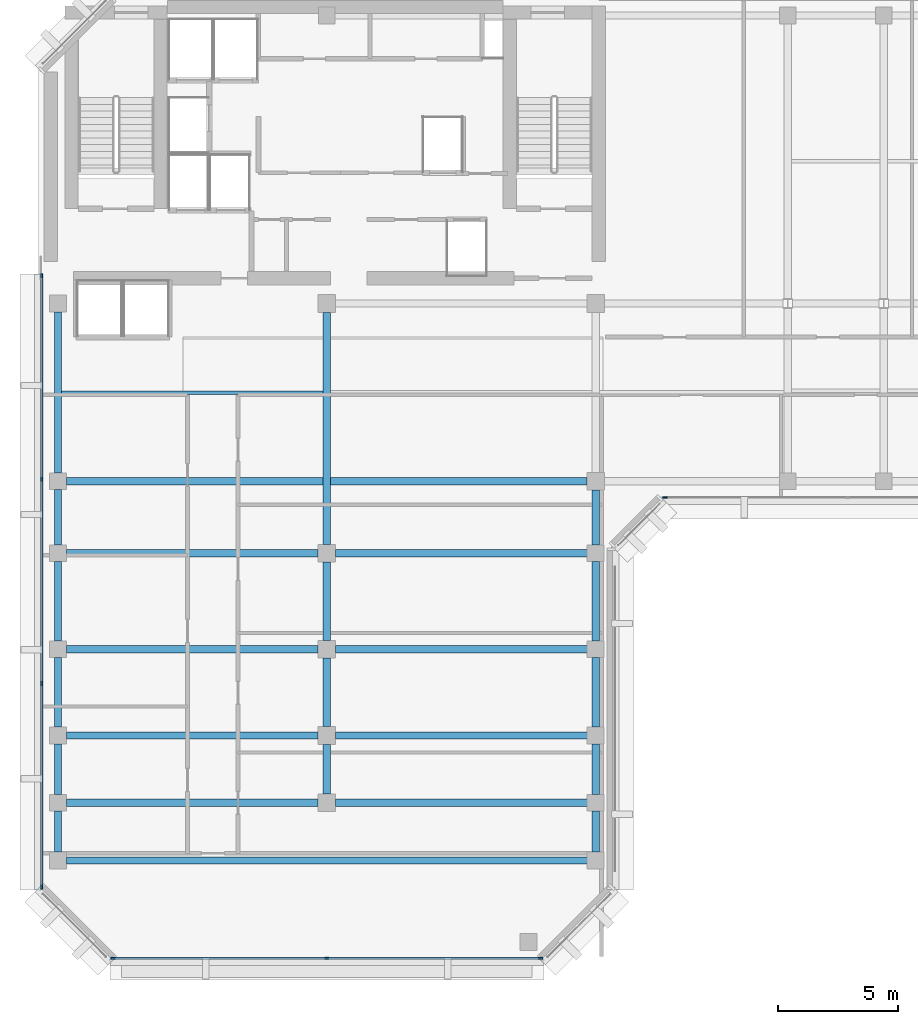
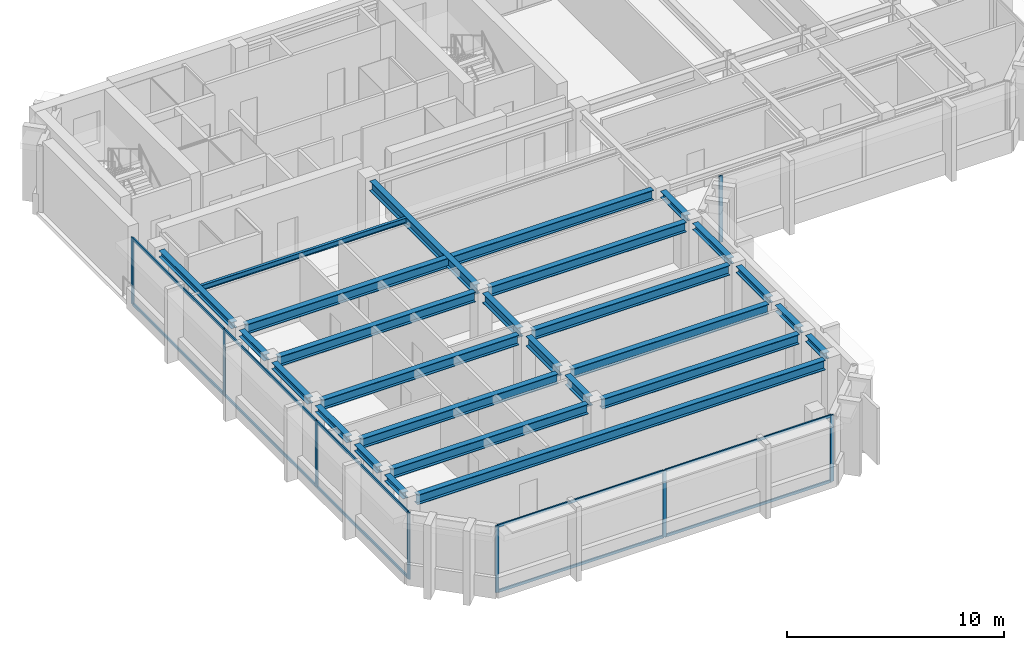
# One storey, part 2 of 11: 26 beams, 18 members, 3 elements without a shape of their own.
"""IFC4 building model written with IfcOpenShell, lengths in metres."""

from ifc_helpers import new_model, si_unit, direction, frame, origin, origin_2d, place, context, subcontext, project, spatial, rectangle, i_section, extrude, material, layer, layer_set, material_profile, profile_set, type_object, element, aggregate, save


model = new_model("IFC4")

# Units and contexts
model_context = context("Model", 3, precision=1e-05, world=origin(), true_north=direction((0.0, 1.0)))
body_context = subcontext(model_context, "Body", "Model", "MODEL_VIEW")
ifc_project = project(units=[si_unit("LENGTHUNIT", "METRE"), si_unit("AREAUNIT", "SQUARE_METRE"), si_unit("VOLUMEUNIT", "CUBIC_METRE"), si_unit("PLANEANGLEUNIT", "RADIAN"), si_unit("MASSUNIT", "GRAM", prefix="KILO")], contexts=[model_context])

# Site, building, storey
site_placement = place(None, origin())
site = spatial("IfcSite", under=ifc_project, at=site_placement, CompositionType="ELEMENT")
building_placement = place(site_placement, origin())
building = spatial("IfcBuilding", under=site, at=building_placement, Name="Kefirva Bronze Tower", CompositionType="ELEMENT")
storey_placement = place(building_placement, frame((0.0, 0.0, 292.050048828125)))
storey = spatial("IfcBuildingStorey", under=building, at=storey_placement, Name="L71", CompositionType="ELEMENT", Elevation=292.050048828125)

# Curtain wall, members
ifc_material_1 = material(Name="Bronze anodised aluminium", Category="aluminium")
ifc_layer = layer(ifc_material_1, 0.179931640625, Name="Bronze anodised aluminium")
ifc_layer_set = layer_set([ifc_layer], Name="Bronze anodised aluminium")
curtain_wall_type = type_object("IfcCurtainWallType", Name="Unitised Bronze Ribbon Curtain Wall Zone 4", PredefinedType="USERDEFINED", material=ifc_layer_set)
curtain_wall_1_placement = place(storey_placement, origin())
curtain_wall_1 = element("IfcCurtainWall", 1, at=curtain_wall_1_placement, inside=storey, type_object=curtain_wall_type, Name="L71 Curtain Wall 1", ObjectType="UNITISED CURTAIN WALL", PredefinedType="USERDEFINED")
ifc_material_profile_1 = material_profile(ifc_material_1, rectangle(XDim=0.074951171875, YDim=0.179931640625, at=origin_2d()), Name="ALU 75x180")
ifc_profile_set_1 = profile_set([ifc_material_profile_1], Name="Bronze anodised aluminium")
member_type_1 = type_object("IfcMemberType", Name="Bronze Mullion 75x180", PredefinedType="MULLION", material=ifc_profile_set_1)
member_1_placement = place(storey_placement, frame((3.092529296875, 5.919921875, 0.0), z_axis=(0.0, 0.0, 1.0), x_axis=(0.0, 1.0, 0.0)))
member_1 = element("IfcMember", 2, at=member_1_placement, type_object=member_type_1, Name="CW-04 mullion 1", PredefinedType="MULLION", context=body_context, shape_type="SweptSolid", body=[
    extrude(rectangle(XDim=0.074951171875, YDim=0.179931640625, at=origin_2d()), origin(), (0.0, 0.0, 1.0), 3.739990234375),
])
member_2_placement = place(storey_placement, frame((12.0, 5.919921875, 0.0), z_axis=(0.0, 0.0, 1.0), x_axis=(0.0, 1.0, 0.0)))
member_2 = element("IfcMember", 3, at=member_2_placement, type_object=member_type_1, Name="CW-04 mullion 2", PredefinedType="MULLION", context=body_context, shape_type="SweptSolid", body=[
    extrude(rectangle(XDim=0.074951171875, YDim=0.179931640625, at=origin_2d()), origin(), (0.0, 0.0, 1.0), 3.739990234375),
])
member_3_placement = place(storey_placement, frame((20.907470703125, 5.919921875, 0.0), z_axis=(0.0, 0.0, 1.0), x_axis=(0.0, 1.0, 0.0)))
member_3 = element("IfcMember", 4, at=member_3_placement, type_object=member_type_1, Name="CW-04 mullion 3", PredefinedType="MULLION", context=body_context, shape_type="SweptSolid", body=[
    extrude(rectangle(XDim=0.074951171875, YDim=0.179931640625, at=origin_2d()), origin(), (0.0, 0.0, 1.0), 3.739990234375),
])

# Curtain wall, member
curtain_wall_2_placement = place(storey_placement, origin())
curtain_wall_2 = element("IfcCurtainWall", 5, at=curtain_wall_2_placement, inside=storey, type_object=curtain_wall_type, Name="L71 Curtain Wall 2", ObjectType="UNITISED CURTAIN WALL", PredefinedType="USERDEFINED")
member_4_placement = place(storey_placement, frame((26.092529296875, 25.1201171875, 0.0), z_axis=(0.0, 0.0, 1.0), x_axis=(0.0, 1.0, 0.0)))
member_4 = element("IfcMember", 6, at=member_4_placement, type_object=member_type_1, Name="CW-04 mullion 1", PredefinedType="MULLION", context=body_context, shape_type="SweptSolid", body=[
    extrude(rectangle(XDim=0.074951171875, YDim=0.179931640625, at=origin_2d()), origin(), (0.0, 0.0, 1.0), 3.739990234375),
])
aggregate(curtain_wall_2, [member_4])

# Curtain wall, members
curtain_wall_3_placement = place(storey_placement, origin())
curtain_wall_3 = element("IfcCurtainWall", 7, at=curtain_wall_3_placement, inside=storey, type_object=curtain_wall_type, Name="L71 Curtain Wall 5", ObjectType="UNITISED CURTAIN WALL", PredefinedType="USERDEFINED")
member_5_placement = place(storey_placement, frame((0.1201171875, 34.357421875, 0.0), z_axis=(0.0, 0.0, 1.0), x_axis=(1.0, 0.0, 0.0)))
member_5 = element("IfcMember", 8, at=member_5_placement, type_object=member_type_1, Name="CW-04 mullion 1", PredefinedType="MULLION", context=body_context, shape_type="SweptSolid", body=[
    extrude(rectangle(XDim=0.074951171875, YDim=0.179931640625, at=origin_2d()), origin(), (0.0, 0.0, 1.0), 3.739990234375),
])
member_6_placement = place(storey_placement, frame((0.1201171875, 25.881591796875, 0.0), z_axis=(0.0, 0.0, 1.0), x_axis=(1.0, 0.0, 0.0)))
member_6 = element("IfcMember", 9, at=member_6_placement, type_object=member_type_1, Name="CW-04 mullion 2", PredefinedType="MULLION", context=body_context, shape_type="SweptSolid", body=[
    extrude(rectangle(XDim=0.074951171875, YDim=0.179931640625, at=origin_2d()), origin(), (0.0, 0.0, 1.0), 3.739990234375),
])
member_7_placement = place(storey_placement, frame((0.1201171875, 17.368408203125, 0.0), z_axis=(0.0, 0.0, 1.0), x_axis=(1.0, 0.0, 0.0)))
member_7 = element("IfcMember", 10, at=member_7_placement, type_object=member_type_1, Name="CW-04 mullion 3", PredefinedType="MULLION", context=body_context, shape_type="SweptSolid", body=[
    extrude(rectangle(XDim=0.074951171875, YDim=0.179931640625, at=origin_2d()), origin(), (0.0, 0.0, 1.0), 3.739990234375),
])
member_8_placement = place(storey_placement, frame((0.1201171875, 8.892578125, 0.0), z_axis=(0.0, 0.0, 1.0), x_axis=(1.0, 0.0, 0.0)))
member_8 = element("IfcMember", 11, at=member_8_placement, type_object=member_type_1, Name="CW-04 mullion 4", PredefinedType="MULLION", context=body_context, shape_type="SweptSolid", body=[
    extrude(rectangle(XDim=0.074951171875, YDim=0.179931640625, at=origin_2d()), origin(), (0.0, 0.0, 1.0), 3.739990234375),
])

# Member
ifc_material_profile_2 = material_profile(ifc_material_1, rectangle(XDim=0.074951171875, YDim=0.14990234375, at=origin_2d()), Name="ALU 75x150")
ifc_profile_set_2 = profile_set([ifc_material_profile_2], Name="Bronze anodised aluminium")
member_type_2 = type_object("IfcMemberType", Name="Bronze Transom 75x150", PredefinedType="USERDEFINED", material=ifc_profile_set_2)
member_9_placement = place(storey_placement, frame((3.1298828125, 5.919921875, 0.037353515625), z_axis=(1.0, 0.0, 0.0), x_axis=(0.0, 1.0, 0.0)))
member_9 = element("IfcMember", 12, at=member_9_placement, type_object=member_type_2, Name="CW-04 transom 1.1", ObjectType="TRANSOM", PredefinedType="USERDEFINED", context=body_context, shape_type="SweptSolid", body=[
    extrude(rectangle(XDim=0.074951171875, YDim=0.14990234375, at=origin_2d()), origin(), (0.0, 0.0, 1.0), 8.83251953125),
])

member_10_placement = place(storey_placement, frame((3.1298828125, 5.919921875, 3.702392578125), z_axis=(1.0, 0.0, 0.0), x_axis=(0.0, 1.0, 0.0)))
member_10 = element("IfcMember", 13, at=member_10_placement, type_object=member_type_2, Name="CW-04 transom 1.2", ObjectType="TRANSOM", PredefinedType="USERDEFINED", context=body_context, shape_type="SweptSolid", body=[
    extrude(rectangle(XDim=0.074951171875, YDim=0.14990234375, at=origin_2d()), origin(), (0.0, 0.0, 1.0), 8.83251953125),
])

member_11_placement = place(storey_placement, frame((12.03759765625, 5.919921875, 0.037353515625), z_axis=(1.0, 0.0, 0.0), x_axis=(0.0, 1.0, 0.0)))
member_11 = element("IfcMember", 14, at=member_11_placement, type_object=member_type_2, Name="CW-04 transom 2.1", ObjectType="TRANSOM", PredefinedType="USERDEFINED", context=body_context, shape_type="SweptSolid", body=[
    extrude(rectangle(XDim=0.074951171875, YDim=0.14990234375, at=origin_2d()), origin(), (0.0, 0.0, 1.0), 8.83251953125),
])

member_12_placement = place(storey_placement, frame((12.03759765625, 5.919921875, 3.702392578125), z_axis=(1.0, 0.0, 0.0), x_axis=(0.0, 1.0, 0.0)))
member_12 = element("IfcMember", 15, at=member_12_placement, type_object=member_type_2, Name="CW-04 transom 2.2", ObjectType="TRANSOM", PredefinedType="USERDEFINED", context=body_context, shape_type="SweptSolid", body=[
    extrude(rectangle(XDim=0.074951171875, YDim=0.14990234375, at=origin_2d()), origin(), (0.0, 0.0, 1.0), 8.83251953125),
])

aggregate(curtain_wall_1, [member_1, member_2, member_3, member_9, member_10, member_11, member_12])

member_13_placement = place(storey_placement, frame((0.1201171875, 34.320068359375, 0.037353515625), z_axis=(0.0, -1.0, 0.0), x_axis=(1.0, 0.0, 0.0)))
member_13 = element("IfcMember", 16, at=member_13_placement, type_object=member_type_2, Name="CW-04 transom 1.1", ObjectType="TRANSOM", PredefinedType="USERDEFINED", context=body_context, shape_type="SweptSolid", body=[
    extrude(rectangle(XDim=0.074951171875, YDim=0.14990234375, at=origin_2d()), origin(), (0.0, 0.0, 1.0), 8.40087890625),
])

member_14_placement = place(storey_placement, frame((0.1201171875, 34.320068359375, 3.702392578125), z_axis=(0.0, -1.0, 0.0), x_axis=(1.0, 0.0, 0.0)))
member_14 = element("IfcMember", 17, at=member_14_placement, type_object=member_type_2, Name="CW-04 transom 1.2", ObjectType="TRANSOM", PredefinedType="USERDEFINED", context=body_context, shape_type="SweptSolid", body=[
    extrude(rectangle(XDim=0.074951171875, YDim=0.14990234375, at=origin_2d()), origin(), (0.0, 0.0, 1.0), 8.40087890625),
])

member_15_placement = place(storey_placement, frame((0.1201171875, 25.84423828125, 0.037353515625), z_axis=(0.0, -1.0, 0.0), x_axis=(1.0, 0.0, 0.0)))
member_15 = element("IfcMember", 18, at=member_15_placement, type_object=member_type_2, Name="CW-04 transom 2.1", ObjectType="TRANSOM", PredefinedType="USERDEFINED", context=body_context, shape_type="SweptSolid", body=[
    extrude(rectangle(XDim=0.074951171875, YDim=0.14990234375, at=origin_2d()), origin(), (0.0, 0.0, 1.0), 8.4384765625),
])

member_16_placement = place(storey_placement, frame((0.1201171875, 25.84423828125, 3.702392578125), z_axis=(0.0, -1.0, 0.0), x_axis=(1.0, 0.0, 0.0)))
member_16 = element("IfcMember", 19, at=member_16_placement, type_object=member_type_2, Name="CW-04 transom 2.2", ObjectType="TRANSOM", PredefinedType="USERDEFINED", context=body_context, shape_type="SweptSolid", body=[
    extrude(rectangle(XDim=0.074951171875, YDim=0.14990234375, at=origin_2d()), origin(), (0.0, 0.0, 1.0), 8.4384765625),
])

member_17_placement = place(storey_placement, frame((0.1201171875, 17.330810546875, 0.037353515625), z_axis=(0.0, -1.0, 0.0), x_axis=(1.0, 0.0, 0.0)))
member_17 = element("IfcMember", 20, at=member_17_placement, type_object=member_type_2, Name="CW-04 transom 3.1", ObjectType="TRANSOM", PredefinedType="USERDEFINED", context=body_context, shape_type="SweptSolid", body=[
    extrude(rectangle(XDim=0.074951171875, YDim=0.14990234375, at=origin_2d()), origin(), (0.0, 0.0, 1.0), 8.40087890625),
])

member_18_placement = place(storey_placement, frame((0.1201171875, 17.330810546875, 3.702392578125), z_axis=(0.0, -1.0, 0.0), x_axis=(1.0, 0.0, 0.0)))
member_18 = element("IfcMember", 21, at=member_18_placement, type_object=member_type_2, Name="CW-04 transom 3.2", ObjectType="TRANSOM", PredefinedType="USERDEFINED", context=body_context, shape_type="SweptSolid", body=[
    extrude(rectangle(XDim=0.074951171875, YDim=0.14990234375, at=origin_2d()), origin(), (0.0, 0.0, 1.0), 8.40087890625),
])

aggregate(curtain_wall_3, [member_5, member_6, member_7, member_8, member_13, member_14, member_15, member_16, member_17, member_18])

# Beams
ifc_material_2 = material(Name="Steel S355", Category="steel")
ifc_material_profile_3 = material_profile(ifc_material_2, i_section(OverallWidth=0.14990234375, OverallDepth=0.300048828125, WebThickness=0.007080078125, FlangeThickness=0.0107421875, at=origin_2d()), Name="IPE 300")
ifc_profile_set_3 = profile_set([ifc_material_profile_3], Name="Steel S355")
beam_type_1 = type_object("IfcBeamType", Name="Steel Floor Joist IPE 300", PredefinedType="JOIST", material=ifc_profile_set_3)
beam_1_placement = place(storey_placement, frame((0.949951171875, 29.489990234375, 3.58984375), z_axis=(1.0, 0.0, 0.0), x_axis=(0.0, 1.0, 0.0)))
element("IfcBeam", 22, at=beam_1_placement, inside=storey, type_object=beam_type_1, Name="L71 JST-L71-0-294", PredefinedType="JOIST", context=body_context, shape_type="SweptSolid", body=[
    extrude(i_section(OverallWidth=0.14990234375, OverallDepth=0.300048828125, WebThickness=0.007080078125, FlangeThickness=0.0107421875, at=origin_2d()), origin(), (0.0, 0.0, 1.0), 10.900146484375),
])
ifc_material_profile_4 = material_profile(ifc_material_2, i_section(OverallWidth=0.300048828125, OverallDepth=0.550048828125, WebThickness=0.014892578125, FlangeThickness=0.029052734375, at=origin_2d()), Name="HEB 550")
ifc_profile_set_4 = profile_set([ifc_material_profile_4], Name="Steel S355")
beam_type_2 = type_object("IfcBeamType", Name="Steel Girder HEB 550", PredefinedType="USERDEFINED", material=ifc_profile_set_4)
beam_2_placement = place(storey_placement, frame((1.14990234375, 10.0, 3.46484375), z_axis=(1.0, 0.0, 0.0), x_axis=(0.0, 1.0, 0.0)))
element("IfcBeam", 23, at=beam_2_placement, inside=storey, type_object=beam_type_2, Name="L71 BM-L71-EW-0-100", ObjectType="GIRDER", PredefinedType="USERDEFINED", context=body_context, shape_type="SweptSolid", body=[
    extrude(i_section(OverallWidth=0.300048828125, OverallDepth=0.550048828125, WebThickness=0.014892578125, FlangeThickness=0.029052734375, at=origin_2d()), origin(), (0.0, 0.0, 1.0), 21.7001953125),
])
for number, where, z_axis, x_axis, name in (
    (24, (1.14990234375, 12.39990234375, 3.46484375), (1.0, 0.0, 0.0), (0.0, 1.0, 0.0), "L71 BM-L71-EW-0-124"),
    (25, (12.3701171875, 12.39990234375, 3.46484375), (1.0, 0.0, 0.0), (0.0, 1.0, 0.0), "L71 BM-L71-EW-12-124"),
    (26, (1.14990234375, 15.199951171875, 3.46484375), (1.0, 0.0, 0.0), (0.0, 1.0, 0.0), "L71 BM-L71-EW-0-152"),
    (27, (12.3701171875, 15.199951171875, 3.46484375), (1.0, 0.0, 0.0), (0.0, 1.0, 0.0), "L71 BM-L71-EW-12-152"),
    (28, (1.14990234375, 18.800048828125, 3.46484375), (1.0, 0.0, 0.0), (0.0, 1.0, 0.0), "L71 BM-L71-EW-0-188"),
    (29, (12.3701171875, 18.800048828125, 3.46484375), (1.0, 0.0, 0.0), (0.0, 1.0, 0.0), "L71 BM-L71-EW-12-188"),
    (30, (1.14990234375, 22.800048828125, 3.46484375), (1.0, 0.0, 0.0), (0.0, 1.0, 0.0), "L71 BM-L71-EW-0-228"),
    (31, (12.3701171875, 22.800048828125, 3.46484375), (1.0, 0.0, 0.0), (0.0, 1.0, 0.0), "L71 BM-L71-EW-12-228"),
):
    element("IfcBeam", number, at=place(storey_placement, frame(where, z_axis=z_axis, x_axis=x_axis)), inside=storey, type_object=beam_type_2, Name=name, ObjectType="GIRDER", PredefinedType="USERDEFINED", context=body_context, shape_type="SweptSolid", body=[
        extrude(i_section(OverallWidth=0.300048828125, OverallDepth=0.550048828125, WebThickness=0.014892578125, FlangeThickness=0.029052734375, at=origin_2d()), origin(), (0.0, 0.0, 1.0), 10.47998046875),
    ])
beam_3_placement = place(storey_placement, frame((1.14990234375, 25.800048828125, 3.46484375), z_axis=(1.0, 0.0, 0.0), x_axis=(0.0, 1.0, 0.0)))
element("IfcBeam", 32, at=beam_3_placement, inside=storey, type_object=beam_type_2, Name="L71 BM-L71-EW-0-258", ObjectType="GIRDER", PredefinedType="USERDEFINED", context=body_context, shape_type="SweptSolid", body=[
    extrude(i_section(OverallWidth=0.300048828125, OverallDepth=0.550048828125, WebThickness=0.014892578125, FlangeThickness=0.029052734375, at=origin_2d()), origin(), (0.0, 0.0, 1.0), 21.68017578125),
])
beam_4_placement = place(storey_placement, frame((12.0, 12.77001953125, 3.46484375), z_axis=(0.0, 1.0, 0.0), x_axis=(-1.0, 0.0, 0.0)))
element("IfcBeam", 33, at=beam_4_placement, inside=storey, type_object=beam_type_2, Name="L71 BM-L71-NS-120-12", ObjectType="GIRDER", PredefinedType="USERDEFINED", context=body_context, shape_type="SweptSolid", body=[
    extrude(i_section(OverallWidth=0.300048828125, OverallDepth=0.550048828125, WebThickness=0.014892578125, FlangeThickness=0.029052734375, at=origin_2d()), origin(), (0.0, 0.0, 1.0), 2.06005859375),
])
beam_5_placement = place(storey_placement, frame((12.0, 15.570068359375, 3.46484375), z_axis=(0.0, 1.0, 0.0), x_axis=(-1.0, 0.0, 0.0)))
element("IfcBeam", 34, at=beam_5_placement, inside=storey, type_object=beam_type_2, Name="L71 BM-L71-NS-120-15", ObjectType="GIRDER", PredefinedType="USERDEFINED", context=body_context, shape_type="SweptSolid", body=[
    extrude(i_section(OverallWidth=0.300048828125, OverallDepth=0.550048828125, WebThickness=0.014892578125, FlangeThickness=0.029052734375, at=origin_2d()), origin(), (0.0, 0.0, 1.0), 2.85986328125),
])
beam_6_placement = place(storey_placement, frame((12.0, 19.169921875, 3.46484375), z_axis=(0.0, 1.0, 0.0), x_axis=(-1.0, 0.0, 0.0)))
element("IfcBeam", 35, at=beam_6_placement, inside=storey, type_object=beam_type_2, Name="L71 BM-L71-NS-120-18", ObjectType="GIRDER", PredefinedType="USERDEFINED", context=body_context, shape_type="SweptSolid", body=[
    extrude(i_section(OverallWidth=0.300048828125, OverallDepth=0.550048828125, WebThickness=0.014892578125, FlangeThickness=0.029052734375, at=origin_2d()), origin(), (0.0, 0.0, 1.0), 3.260009765625),
])
beam_7_placement = place(storey_placement, frame((12.0, 23.169921875, 3.46484375), z_axis=(0.0, 1.0, 0.0), x_axis=(-1.0, 0.0, 0.0)))
element("IfcBeam", 36, at=beam_7_placement, inside=storey, type_object=beam_type_2, Name="L71 BM-L71-NS-120-22", ObjectType="GIRDER", PredefinedType="USERDEFINED", context=body_context, shape_type="SweptSolid", body=[
    extrude(i_section(OverallWidth=0.300048828125, OverallDepth=0.550048828125, WebThickness=0.014892578125, FlangeThickness=0.029052734375, at=origin_2d()), origin(), (0.0, 0.0, 1.0), 9.66015625),
])
ifc_material_profile_5 = material_profile(ifc_material_2, i_section(OverallWidth=0.300048828125, OverallDepth=0.360107421875, WebThickness=0.012451171875, FlangeThickness=0.0224609375, at=origin_2d()), Name="HEB 360")
ifc_profile_set_5 = profile_set([ifc_material_profile_5], Name="Steel S355")
beam_type_3 = type_object("IfcBeamType", Name="Steel Spandrel HEB 360 Ext", PredefinedType="SPANDREL", material=ifc_profile_set_5)
beam_8_placement = place(storey_placement, frame((0.800048828125, 10.35009765625, 3.56005859375), z_axis=(0.0, 1.0, 0.0), x_axis=(-1.0, 0.0, 0.0)))
element("IfcBeam", 37, at=beam_8_placement, inside=storey, type_object=beam_type_3, Name="L71 BM-L71-NS-8-10", PredefinedType="SPANDREL", context=body_context, shape_type="SweptSolid", body=[
    extrude(i_section(OverallWidth=0.300048828125, OverallDepth=0.360107421875, WebThickness=0.012451171875, FlangeThickness=0.0224609375, at=origin_2d()), origin(), (0.0, 0.0, 1.0), 1.699951171875),
])
beam_9_placement = place(storey_placement, frame((0.800048828125, 12.75, 3.56005859375), z_axis=(0.0, 1.0, 0.0), x_axis=(-1.0, 0.0, 0.0)))
element("IfcBeam", 38, at=beam_9_placement, inside=storey, type_object=beam_type_3, Name="L71 BM-L71-NS-8-12", PredefinedType="SPANDREL", context=body_context, shape_type="SweptSolid", body=[
    extrude(i_section(OverallWidth=0.300048828125, OverallDepth=0.360107421875, WebThickness=0.012451171875, FlangeThickness=0.0224609375, at=origin_2d()), origin(), (0.0, 0.0, 1.0), 2.10009765625),
])
beam_10_placement = place(storey_placement, frame((0.800048828125, 15.550048828125, 3.56005859375), z_axis=(0.0, 1.0, 0.0), x_axis=(-1.0, 0.0, 0.0)))
element("IfcBeam", 39, at=beam_10_placement, inside=storey, type_object=beam_type_3, Name="L71 BM-L71-NS-8-15", PredefinedType="SPANDREL", context=body_context, shape_type="SweptSolid", body=[
    extrude(i_section(OverallWidth=0.300048828125, OverallDepth=0.360107421875, WebThickness=0.012451171875, FlangeThickness=0.0224609375, at=origin_2d()), origin(), (0.0, 0.0, 1.0), 2.89990234375),
])
beam_11_placement = place(storey_placement, frame((0.800048828125, 19.14990234375, 3.56005859375), z_axis=(0.0, 1.0, 0.0), x_axis=(-1.0, 0.0, 0.0)))
element("IfcBeam", 40, at=beam_11_placement, inside=storey, type_object=beam_type_3, Name="L71 BM-L71-NS-8-18", PredefinedType="SPANDREL", context=body_context, shape_type="SweptSolid", body=[
    extrude(i_section(OverallWidth=0.300048828125, OverallDepth=0.360107421875, WebThickness=0.012451171875, FlangeThickness=0.0224609375, at=origin_2d()), origin(), (0.0, 0.0, 1.0), 3.300048828125),
])
beam_12_placement = place(storey_placement, frame((0.800048828125, 23.14990234375, 3.56005859375), z_axis=(0.0, 1.0, 0.0), x_axis=(-1.0, 0.0, 0.0)))
element("IfcBeam", 41, at=beam_12_placement, inside=storey, type_object=beam_type_3, Name="L71 BM-L71-NS-8-22", PredefinedType="SPANDREL", context=body_context, shape_type="SweptSolid", body=[
    extrude(i_section(OverallWidth=0.300048828125, OverallDepth=0.360107421875, WebThickness=0.012451171875, FlangeThickness=0.0224609375, at=origin_2d()), origin(), (0.0, 0.0, 1.0), 2.300048828125),
])
beam_13_placement = place(storey_placement, frame((0.800048828125, 26.14990234375, 3.56005859375), z_axis=(0.0, 1.0, 0.0), x_axis=(-1.0, 0.0, 0.0)))
element("IfcBeam", 42, at=beam_13_placement, inside=storey, type_object=beam_type_3, Name="L71 BM-L71-NS-8-25", PredefinedType="SPANDREL", context=body_context, shape_type="SweptSolid", body=[
    extrude(i_section(OverallWidth=0.300048828125, OverallDepth=0.360107421875, WebThickness=0.012451171875, FlangeThickness=0.0224609375, at=origin_2d()), origin(), (0.0, 0.0, 1.0), 6.7001953125),
])
beam_14_placement = place(storey_placement, frame((23.199951171875, 10.35009765625, 3.56005859375), z_axis=(0.0, 1.0, 0.0), x_axis=(-1.0, 0.0, 0.0)))
element("IfcBeam", 43, at=beam_14_placement, inside=storey, type_object=beam_type_3, Name="L71 BM-L71-NS-232-10", PredefinedType="SPANDREL", context=body_context, shape_type="SweptSolid", body=[
    extrude(i_section(OverallWidth=0.300048828125, OverallDepth=0.360107421875, WebThickness=0.012451171875, FlangeThickness=0.0224609375, at=origin_2d()), origin(), (0.0, 0.0, 1.0), 1.699951171875),
])
beam_15_placement = place(storey_placement, frame((23.199951171875, 12.75, 3.56005859375), z_axis=(0.0, 1.0, 0.0), x_axis=(-1.0, 0.0, 0.0)))
element("IfcBeam", 44, at=beam_15_placement, inside=storey, type_object=beam_type_3, Name="L71 BM-L71-NS-232-12", PredefinedType="SPANDREL", context=body_context, shape_type="SweptSolid", body=[
    extrude(i_section(OverallWidth=0.300048828125, OverallDepth=0.360107421875, WebThickness=0.012451171875, FlangeThickness=0.0224609375, at=origin_2d()), origin(), (0.0, 0.0, 1.0), 2.10009765625),
])
beam_16_placement = place(storey_placement, frame((23.199951171875, 15.550048828125, 3.56005859375), z_axis=(0.0, 1.0, 0.0), x_axis=(-1.0, 0.0, 0.0)))
element("IfcBeam", 45, at=beam_16_placement, inside=storey, type_object=beam_type_3, Name="L71 BM-L71-NS-232-15", PredefinedType="SPANDREL", context=body_context, shape_type="SweptSolid", body=[
    extrude(i_section(OverallWidth=0.300048828125, OverallDepth=0.360107421875, WebThickness=0.012451171875, FlangeThickness=0.0224609375, at=origin_2d()), origin(), (0.0, 0.0, 1.0), 2.89990234375),
])
beam_17_placement = place(storey_placement, frame((23.199951171875, 19.14990234375, 3.56005859375), z_axis=(0.0, 1.0, 0.0), x_axis=(-1.0, 0.0, 0.0)))
element("IfcBeam", 46, at=beam_17_placement, inside=storey, type_object=beam_type_3, Name="L71 BM-L71-NS-232-18", PredefinedType="SPANDREL", context=body_context, shape_type="SweptSolid", body=[
    extrude(i_section(OverallWidth=0.300048828125, OverallDepth=0.360107421875, WebThickness=0.012451171875, FlangeThickness=0.0224609375, at=origin_2d()), origin(), (0.0, 0.0, 1.0), 3.300048828125),
])
beam_18_placement = place(storey_placement, frame((23.199951171875, 23.14990234375, 3.56005859375), z_axis=(0.0, 1.0, 0.0), x_axis=(-1.0, 0.0, 0.0)))
element("IfcBeam", 47, at=beam_18_placement, inside=storey, type_object=beam_type_3, Name="L71 BM-L71-NS-232-22", PredefinedType="SPANDREL", context=body_context, shape_type="SweptSolid", body=[
    extrude(i_section(OverallWidth=0.300048828125, OverallDepth=0.360107421875, WebThickness=0.012451171875, FlangeThickness=0.0224609375, at=origin_2d()), origin(), (0.0, 0.0, 1.0), 2.280029296875),
])

save(model, "model.ifc")
